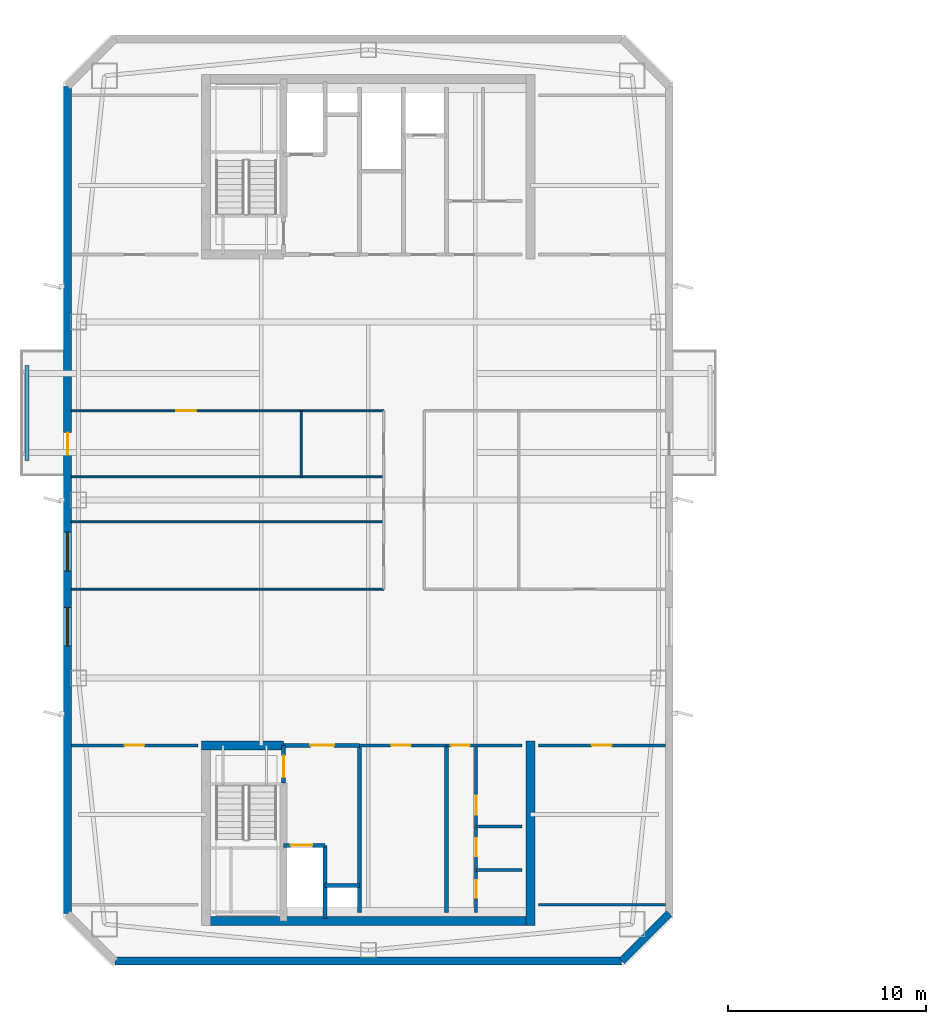
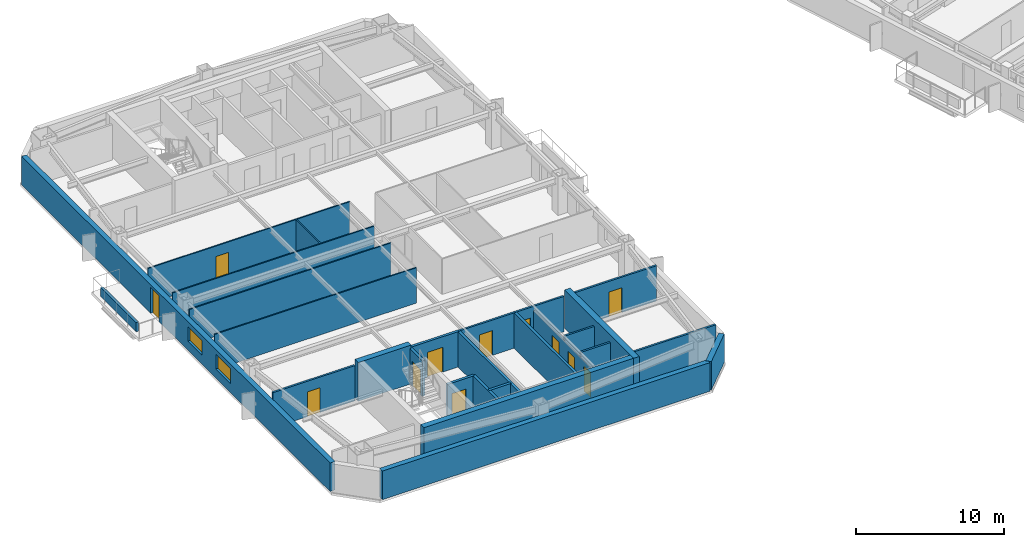
# One storey, part 5 of 17: 27 walls, 12 doors, 2 windows, 14 openings.
"""IFC4 building model written with IfcOpenShell, lengths in metres."""

from ifc_helpers import new_model, si_unit, direction, frame, frame_2d, origin, place, context, subcontext, project, spatial, rectangle, extrude, material, layer, layer_set, type_object, element, fill, save


model = new_model("IFC4")

# Units and contexts
model_context = context("Model", 3, precision=1e-05, world=origin(), true_north=direction((0.0, 1.0)))
body_context = subcontext(model_context, "Body", "Model", "MODEL_VIEW")
ifc_project = project(units=[si_unit("LENGTHUNIT", "METRE"), si_unit("AREAUNIT", "SQUARE_METRE"), si_unit("VOLUMEUNIT", "CUBIC_METRE"), si_unit("PLANEANGLEUNIT", "RADIAN"), si_unit("MASSUNIT", "GRAM", prefix="KILO")], contexts=[model_context])

# Site, building, storey
site_placement = place(None, origin())
site = spatial("IfcSite", under=ifc_project, at=site_placement, CompositionType="ELEMENT")
building_placement = place(site_placement, origin())
building = spatial("IfcBuilding", under=site, at=building_placement, Name="Qiaolan Cultural Towers", CompositionType="ELEMENT")
storey_placement = place(building_placement, frame((0.0, 0.0, 247.199951171875)))
storey = spatial("IfcBuildingStorey", under=building, at=storey_placement, Name="L67", CompositionType="ELEMENT", Elevation=247.199951171875)

# Walls
ifc_material_1 = material(Name="Concrete C50", Category="concrete")
ifc_layer_1 = layer(ifc_material_1, 0.449951171875)
ifc_layer_set_1 = layer_set([ifc_layer_1], Name="Concrete C50")
wall_type_1 = type_object("IfcWallType", Name="WL-CORE-450", PredefinedType="SHEAR", material=ifc_layer_set_1)
wall_1_placement = place(storey_placement, frame((21.574951171875, 12.719970703125, 0.0), z_axis=(0.0, 0.0, 1.0), x_axis=(1.0, 0.0, 0.0)))
element("IfcWall", 1, at=wall_1_placement, inside=storey, type_object=wall_type_1, Name="L67 T1-CS Outer Core Shear Wall", PredefinedType="SHEAR", context=body_context, shape_type="SweptSolid", body=[
    extrude(rectangle(XDim=16.85009765625, YDim=0.449951171875, at=frame_2d((8.425048828125, 0.0))), origin(), (0.0, 0.0, 1.0), 3.199951171875),
])
wall_2_placement = place(storey_placement, frame((38.199951171875, 21.824951171875, 0.0), z_axis=(0.0, 0.0, 1.0), x_axis=(0.0, -1.0, 0.0)))
element("IfcWall", 2, at=wall_2_placement, inside=storey, type_object=wall_type_1, Name="L67 T1-CS East Core Shear Wall", PredefinedType="SHEAR", context=body_context, shape_type="SweptSolid", body=[
    extrude(rectangle(XDim=9.329833984375, YDim=0.449951171875, at=frame_2d((4.6650390625, 0.0))), origin(), (0.0, 0.0, 1.0), 3.199951171875),
])
wall_3_placement = place(storey_placement, frame((21.574951171875, 21.60009765625, 0.0), z_axis=(0.0, 0.0, 1.0), x_axis=(1.0, 0.0, 0.0)))
element("IfcWall", 3, at=wall_3_placement, inside=storey, type_object=wall_type_1, Name="L67 T1-CS Stair Front Shear Wall", PredefinedType="SHEAR", context=body_context, shape_type="SweptSolid", body=[
    extrude(rectangle(XDim=4.14501953125, YDim=0.449951171875, at=frame_2d((2.072509765625, 0.0))), origin(), (0.0, 0.0, 1.0), 3.199951171875),
])

# Wall, openings, door, windows
ifc_material_2 = material(Name="Precast Concrete C50 Honed Stone Pier", Category="masonry")
ifc_layer_2 = layer(ifc_material_2, 0.39990234375)
ifc_layer_set_2 = layer_set([ifc_layer_2], Name="Precast Concrete C50 Honed Stone Pier")
wall_type_2 = type_object("IfcWallType", Name="WL-EXT-PIER-400", PredefinedType="SOLIDWALL", material=ifc_layer_set_2)
wall_4_placement = place(storey_placement, frame((14.800048828125, 13.10009765625, 0.0), z_axis=(0.0, 0.0, 1.0), x_axis=(0.0, 1.0, 0.0)))
wall_4 = element("IfcWall", 4, at=wall_4_placement, inside=storey, type_object=wall_type_2, Name="L67 West Tower Precast Pier Facade Wall F1", PredefinedType="SOLIDWALL", context=body_context, shape_type="SweptSolid", body=[
    extrude(rectangle(XDim=41.7998046875, YDim=0.39990234375, at=frame_2d((20.89990234375, 0.0))), origin(), (0.0, 0.0, 1.0), 2.360107421875),
])
opening_1_placement = place(wall_4_placement, frame((13.52490234375, 0.0, 0.75)))
opening_1 = element("IfcOpeningElement", 5, at=opening_1_placement, cuts=wall_4, Name="Opening W-06", PredefinedType="OPENING", context=body_context, shape_type="SweptSolid", body=[
    extrude(rectangle(XDim=1.949951171875, YDim=1.2099609375, at=frame_2d((0.97509765625, 0.60498046875))), frame((0.0, 0.2099609375, 0.0), z_axis=(0.0, -1.0, 0.0), x_axis=(1.0, 0.0, 0.0)), (0.0, 0.0, 1.0), 0.419921875),
])
opening_2_placement = place(wall_4_placement, frame((17.324951171875, 0.0, 0.75)))
opening_2 = element("IfcOpeningElement", 6, at=opening_2_placement, cuts=wall_4, Name="Opening W-06", PredefinedType="OPENING", context=body_context, shape_type="SweptSolid", body=[
    extrude(rectangle(XDim=1.949951171875, YDim=1.2099609375, at=frame_2d((0.97509765625, 0.60498046875))), frame((0.0, 0.2099609375, 0.0), z_axis=(0.0, -1.0, 0.0), x_axis=(1.0, 0.0, 0.0)), (0.0, 0.0, 1.0), 0.419921875),
])
opening_3_placement = place(wall_4_placement, frame((23.199951171875, 0.0, 0.0)))
opening_3 = element("IfcOpeningElement", 7, at=opening_3_placement, cuts=wall_4, Name="Opening BD-01", PredefinedType="OPENING", context=body_context, shape_type="SweptSolid", body=[
    extrude(rectangle(XDim=1.10009765625, YDim=2.14990234375, at=frame_2d((0.550048828125, 1.074951171875))), frame((0.0, 0.2099609375, 0.0), z_axis=(0.0, -1.0, 0.0), x_axis=(1.0, 0.0, 0.0)), (0.0, 0.0, 1.0), 0.419921875),
])
ifc_material_3 = material(Name="Thermally Broken Aluminium Glazed Terrace Door", Category="aluminium")
door_type_1 = type_object("IfcDoorType", Name="DR-BAL-1100", OperationType="NOTDEFINED", PredefinedType="DOOR", material=ifc_material_3)
door_1_placement = place(opening_3_placement, origin())
door_1 = element("IfcDoor", 8, at=door_1_placement, inside=storey, type_object=door_type_1, Name="L67 T1 West Tree Balcony Door", OperationType="SINGLE_SWING_LEFT", OverallHeight=2.14990234375, OverallWidth=1.10009765625, PredefinedType="DOOR", context=body_context, shape_type="SweptSolid", body=[
    extrude(rectangle(XDim=1.10009765625, YDim=2.14990234375, at=frame_2d((0.550048828125, 1.074951171875))), frame((0.0, 0.02490234375, 0.0), z_axis=(0.0, -1.0, 0.0), x_axis=(1.0, 0.0, 0.0)), (0.0, 0.0, 1.0), 0.050048828125),
])
fill(opening_3, door_1)
ifc_material_4 = material(Name="Thermally Broken Aluminium Triple Low-E Glazing", Category="aluminium")
window_type = type_object("IfcWindowType", Name="WN-CHIC-1950", PartitioningType="SINGLE_PANEL", PredefinedType="WINDOW", material=ifc_material_4)
window_1_placement = place(opening_1_placement, origin())
window_1 = element("IfcWindow", 9, at=window_1_placement, inside=storey, type_object=window_type, Name="L67 T1 W Chicago Bay Window 1", OverallHeight=1.2099609375, OverallWidth=1.949951171875, PartitioningType="TRIPLE_PANEL_VERTICAL", PredefinedType="WINDOW", context=body_context, shape_type="SweptSolid", body=[
    extrude(rectangle(XDim=1.949951171875, YDim=1.2099609375, at=frame_2d((0.97509765625, 0.60498046875))), frame((0.0, 0.030029296875, 0.0), z_axis=(0.0, -1.0, 0.0), x_axis=(1.0, 0.0, 0.0)), (0.0, 0.0, 1.0), 0.06005859375),
])
fill(opening_1, window_1)
window_2_placement = place(opening_2_placement, origin())
window_2 = element("IfcWindow", 10, at=window_2_placement, inside=storey, type_object=window_type, Name="L67 T1 W Chicago Bay Window 2", OverallHeight=1.2099609375, OverallWidth=1.949951171875, PartitioningType="TRIPLE_PANEL_VERTICAL", PredefinedType="WINDOW", context=body_context, shape_type="SweptSolid", body=[
    extrude(rectangle(XDim=1.949951171875, YDim=1.2099609375, at=frame_2d((0.97509765625, 0.60498046875))), frame((0.0, 0.030029296875, 0.0), z_axis=(0.0, -1.0, 0.0), x_axis=(1.0, 0.0, 0.0)), (0.0, 0.0, 1.0), 0.06005859375),
])
fill(opening_2, window_2)

# Walls
wall_5_placement = place(storey_placement, frame((45.199951171875, 13.10009765625, 0.0), z_axis=(0.0, 0.0, 1.0), x_axis=(-0.707070815327, -0.707142745217, 0.0)))
element("IfcWall", 11, at=wall_5_placement, inside=storey, type_object=wall_type_2, Name="L67 West Tower Precast Pier Facade Wall F6", PredefinedType="SOLIDWALL", context=body_context, shape_type="SweptSolid", body=[
    extrude(rectangle(XDim=3.39404296875, YDim=0.39990234375, at=frame_2d((1.697021484375, 0.0))), origin(), (0.0, 0.0, 1.0), 2.360107421875),
])
wall_6_placement = place(storey_placement, frame((42.800048828125, 10.699951171875, 0.0), z_axis=(0.0, 0.0, 1.0), x_axis=(-1.0, 0.0, 0.0)))
element("IfcWall", 12, at=wall_6_placement, inside=storey, type_object=wall_type_2, Name="L67 West Tower Precast Pier Facade Wall F7", PredefinedType="SOLIDWALL", context=body_context, shape_type="SweptSolid", body=[
    extrude(rectangle(XDim=25.60009765625, YDim=0.39990234375, at=frame_2d((12.800048828125, 0.0))), origin(), (0.0, 0.0, 1.0), 2.360107421875),
])

# Wall, opening, door
ifc_material_5 = material(Name="Concrete C35 Fire Wall", Category="concrete")
ifc_layer_3 = layer(ifc_material_5, 0.199951171875)
ifc_layer_set_3 = layer_set([ifc_layer_3], Name="Concrete C35 Fire Wall")
wall_type_3 = type_object("IfcWallType", Name="WL-FIRE-200", PredefinedType="PARTITIONING", material=ifc_layer_set_3)
wall_7_placement = place(storey_placement, frame((25.719970703125, 21.60009765625, 0.0), z_axis=(0.0, 0.0, 1.0), x_axis=(0.0, -1.0, 0.0)))
wall_7 = element("IfcWall", 13, at=wall_7_placement, inside=storey, type_object=wall_type_3, Name="L67 T1-CS Smokeproof Stair Entry Wall", PredefinedType="PARTITIONING", context=body_context, shape_type="SweptSolid", body=[
    extrude(rectangle(XDim=1.900146484375, YDim=0.199951171875, at=frame_2d((0.9501953125, 0.0))), origin(), (0.0, 0.0, 1.0), 2.925048828125),
])
opening_4_placement = place(wall_7_placement, frame((0.52001953125, 0.0, 0.0)))
opening_4 = element("IfcOpeningElement", 14, at=opening_4_placement, cuts=wall_7, Name="Opening FD-04", PredefinedType="OPENING", context=body_context, shape_type="SweptSolid", body=[
    extrude(rectangle(XDim=1.10009765625, YDim=2.050048828125, at=frame_2d((0.550048828125, 1.02490234375))), frame((0.0, 0.10986328125, 0.0), z_axis=(0.0, -1.0, 0.0), x_axis=(1.0, 0.0, 0.0)), (0.0, 0.0, 1.0), 0.219970703125),
])
ifc_material_6 = material(Name="Galvanized Steel Command Fire Door", Category="steel")
door_type_2 = type_object("IfcDoorType", Name="DR-FD90-1100", OperationType="NOTDEFINED", PredefinedType="DOOR", material=ifc_material_6)
door_2_placement = place(opening_4_placement, origin())
door_2 = element("IfcDoor", 15, at=door_2_placement, inside=storey, type_object=door_type_2, Name="L67 ST-W1 Smokeproof Stair Fire Door", OperationType="SINGLE_SWING_LEFT", OverallHeight=2.050048828125, OverallWidth=1.10009765625, PredefinedType="DOOR", context=body_context, shape_type="SweptSolid", body=[
    extrude(rectangle(XDim=1.10009765625, YDim=2.050048828125, at=frame_2d((0.550048828125, 1.02490234375))), frame((0.0, 0.02490234375, 0.0), z_axis=(0.0, -1.0, 0.0), x_axis=(1.0, 0.0, 0.0)), (0.0, 0.0, 1.0), 0.050048828125),
])
fill(opening_4, door_2)

# Wall
wall_8_placement = place(storey_placement, frame((29.550048828125, 21.60009765625, 0.0), z_axis=(0.0, 0.0, 1.0), x_axis=(0.0, -1.0, 0.0)))
element("IfcWall", 16, at=wall_8_placement, inside=storey, type_object=wall_type_3, Name="L67 T1-CS Firefighting Zone Wall", PredefinedType="PARTITIONING", context=body_context, shape_type="SweptSolid", body=[
    extrude(rectangle(XDim=8.43017578125, YDim=0.199951171875, at=frame_2d((4.215087890625, 0.0))), origin(), (0.0, 0.0, 1.0), 2.925048828125),
])

# Wall, opening, door
wall_9_placement = place(storey_placement, frame((25.719970703125, 21.60009765625, 0.0), z_axis=(0.0, 0.0, 1.0), x_axis=(1.0, 0.0, 0.0)))
wall_9 = element("IfcWall", 17, at=wall_9_placement, inside=storey, type_object=wall_type_3, Name="L67 T1-CS Firefighting Lobby Front Wall", PredefinedType="PARTITIONING", context=body_context, shape_type="SweptSolid", body=[
    extrude(rectangle(XDim=3.830078125, YDim=0.199951171875, at=frame_2d((1.9150390625, 0.0))), origin(), (0.0, 0.0, 1.0), 2.925048828125),
])
opening_5_placement = place(wall_9_placement, frame((1.35009765625, 0.0, 0.0)))
opening_5 = element("IfcOpeningElement", 18, at=opening_5_placement, cuts=wall_9, Name="Opening FD-03", PredefinedType="OPENING", context=body_context, shape_type="SweptSolid", body=[
    extrude(rectangle(XDim=1.199951171875, YDim=2.050048828125, at=frame_2d((0.60009765625, 1.02490234375))), frame((0.0, 0.10986328125, 0.0), z_axis=(0.0, -1.0, 0.0), x_axis=(1.0, 0.0, 0.0)), (0.0, 0.0, 1.0), 0.219970703125),
])
ifc_material_7 = material(Name="Galvanized Steel Smokeproof Lobby Fire Door", Category="steel")
door_type_3 = type_object("IfcDoorType", Name="DR-FD90-1200", OperationType="NOTDEFINED", PredefinedType="DOOR", material=ifc_material_7)
door_3_placement = place(opening_5_placement, origin())
door_3 = element("IfcDoor", 19, at=door_3_placement, inside=storey, type_object=door_type_3, Name="L67 FFL-W1 Firefighting Lobby Fire Door", OperationType="SINGLE_SWING_LEFT", OverallHeight=2.050048828125, OverallWidth=1.199951171875, PredefinedType="DOOR", context=body_context, shape_type="SweptSolid", body=[
    extrude(rectangle(XDim=1.199951171875, YDim=2.050048828125, at=frame_2d((0.60009765625, 1.02490234375))), frame((0.0, 0.02490234375, 0.0), z_axis=(0.0, -1.0, 0.0), x_axis=(1.0, 0.0, 0.0)), (0.0, 0.0, 1.0), 0.050048828125),
])
fill(opening_5, door_3)

wall_10_placement = place(storey_placement, frame((25.719970703125, 16.550048828125, 0.0), z_axis=(0.0, 0.0, 1.0), x_axis=(1.0, 0.0, 0.0)))
wall_10 = element("IfcWall", 20, at=wall_10_placement, inside=storey, type_object=wall_type_3, Name="L67 T1-CS Firefighting Shaft Front Wall", PredefinedType="PARTITIONING", context=body_context, shape_type="SweptSolid", body=[
    extrude(rectangle(XDim=2.10009765625, YDim=0.199951171875, at=frame_2d((1.050048828125, 0.0))), origin(), (0.0, 0.0, 1.0), 2.925048828125),
])
opening_6_placement = place(wall_10_placement, frame((0.35009765625, 0.0, 0.0)))
opening_6 = element("IfcOpeningElement", 21, at=opening_6_placement, cuts=wall_10, Name="Opening LD-01", PredefinedType="OPENING", context=body_context, shape_type="SweptSolid", body=[
    extrude(rectangle(XDim=1.10009765625, YDim=2.050048828125, at=frame_2d((0.550048828125, 1.02490234375))), frame((0.0, 0.10986328125, 0.0), z_axis=(0.0, -1.0, 0.0), x_axis=(1.0, 0.0, 0.0)), (0.0, 0.0, 1.0), 0.219970703125),
])
ifc_material_8 = material(Name="Brushed Stainless Steel S30408 Centre-Parting Lift Landing Door", Category="steel")
door_type_4 = type_object("IfcDoorType", Name="DR-LIFT-1100", OperationType="NOTDEFINED", PredefinedType="DOOR", material=ifc_material_8)
door_4_placement = place(opening_6_placement, origin())
door_4 = element("IfcDoor", 22, at=door_4_placement, inside=storey, type_object=door_type_4, Name="L67 FFL-W1 Firefighting Lift Landing Door", OperationType="DOUBLE_DOOR_SLIDING", OverallHeight=2.050048828125, OverallWidth=1.10009765625, PredefinedType="DOOR", context=body_context, shape_type="SweptSolid", body=[
    extrude(rectangle(XDim=1.10009765625, YDim=2.050048828125, at=frame_2d((0.550048828125, 1.02490234375))), frame((0.0, 0.02490234375, 0.0), z_axis=(0.0, -1.0, 0.0), x_axis=(1.0, 0.0, 0.0)), (0.0, 0.0, 1.0), 0.050048828125),
])
fill(opening_6, door_4)

# Walls
wall_11_placement = place(storey_placement, frame((27.820068359375, 16.550048828125, 0.0), z_axis=(0.0, 0.0, 1.0), x_axis=(0.0, -1.0, 0.0)))
element("IfcWall", 23, at=wall_11_placement, inside=storey, type_object=wall_type_3, Name="L67 T1-CS Firefighting Hoistway East Wall", PredefinedType="PARTITIONING", context=body_context, shape_type="SweptSolid", body=[
    extrude(rectangle(XDim=3.699951171875, YDim=0.199951171875, at=frame_2d((1.85009765625, 0.0))), origin(), (0.0, 0.0, 1.0), 2.925048828125),
])
wall_12_placement = place(storey_placement, frame((27.820068359375, 14.52001953125, 0.0), z_axis=(0.0, 0.0, 1.0), x_axis=(1.0, 0.0, 0.0)))
element("IfcWall", 24, at=wall_12_placement, inside=storey, type_object=wall_type_3, Name="L67 T1-CS Pressurization Shaft Front Wall", PredefinedType="PARTITIONING", context=body_context, shape_type="SweptSolid", body=[
    extrude(rectangle(XDim=1.72998046875, YDim=0.199951171875, at=frame_2d((0.864990234375, 0.0))), origin(), (0.0, 0.0, 1.0), 2.925048828125),
])
wall_13_placement = place(storey_placement, frame((33.949951171875, 21.60009765625, 0.0), z_axis=(0.0, 0.0, 1.0), x_axis=(0.0, -1.0, 0.0)))
element("IfcWall", 25, at=wall_13_placement, inside=storey, type_object=wall_type_3, Name="L67 T1-CS Lift Core East Wall", PredefinedType="PARTITIONING", context=body_context, shape_type="SweptSolid", body=[
    extrude(rectangle(XDim=8.43017578125, YDim=0.199951171875, at=frame_2d((4.215087890625, 0.0))), origin(), (0.0, 0.0, 1.0), 2.925048828125),
])
ifc_material_9 = material(Name="Acoustic Double-Glazed Partition Frame", Category="glass")
ifc_layer_4 = layer(ifc_material_9, 0.10009765625)
ifc_layer_set_4 = layer_set([ifc_layer_4], Name="Acoustic Double-Glazed Partition Frame")
wall_type_4 = type_object("IfcWallType", Name="WL-GLAZED-100", PredefinedType="MOVABLE", material=ifc_layer_set_4)
wall_14_placement = place(storey_placement, frame((15.0, 29.5, 0.0), z_axis=(0.0, 0.0, 1.0), x_axis=(1.0, 0.0, 0.0)))
element("IfcWall", 26, at=wall_14_placement, inside=storey, type_object=wall_type_4, Name="L67 T1 South Foyer West Wall", PredefinedType="MOVABLE", context=body_context, shape_type="SweptSolid", body=[
    extrude(rectangle(XDim=15.77490234375, YDim=0.10009765625, at=frame_2d((7.887451171875, 0.0))), origin(), (0.0, 0.0, 1.0), 2.925048828125),
])

# Wall, opening, door
wall_15_placement = place(storey_placement, frame((15.0, 38.5, 0.0), z_axis=(0.0, 0.0, 1.0), x_axis=(1.0, 0.0, 0.0)))
wall_15 = element("IfcWall", 27, at=wall_15_placement, inside=storey, type_object=wall_type_4, Name="L67 T1 North Foyer West Wall", PredefinedType="MOVABLE", context=body_context, shape_type="SweptSolid", body=[
    extrude(rectangle(XDim=15.77490234375, YDim=0.10009765625, at=frame_2d((7.887451171875, 0.0))), origin(), (0.0, 0.0, 1.0), 2.925048828125),
])
opening_7_placement = place(wall_15_placement, frame((5.300048828125, 0.0, 0.0)))
opening_7 = element("IfcOpeningElement", 28, at=opening_7_placement, cuts=wall_15, Name="Opening ID-04", PredefinedType="OPENING", context=body_context, shape_type="SweptSolid", body=[
    extrude(rectangle(XDim=1.0, YDim=2.050048828125, at=frame_2d((0.5, 1.02490234375))), frame((0.0, 0.06005859375, 0.0), z_axis=(0.0, -1.0, 0.0), x_axis=(1.0, 0.0, 0.0)), (0.0, 0.0, 1.0), 0.1201171875),
])
ifc_material_10 = material(Name="Oak Veneer Acoustic Office Door", Category="timber")
door_type_5 = type_object("IfcDoorType", Name="DR-INT-1000", OperationType="NOTDEFINED", PredefinedType="DOOR", material=ifc_material_10)
door_5_placement = place(opening_7_placement, origin())
door_5 = element("IfcDoor", 29, at=door_5_placement, inside=storey, type_object=door_type_5, Name="L67 T1 Edition Bookshop Door", OperationType="SINGLE_SWING_LEFT", OverallHeight=2.050048828125, OverallWidth=1.0, PredefinedType="DOOR", context=body_context, shape_type="SweptSolid", body=[
    extrude(rectangle(XDim=1.0, YDim=2.050048828125, at=frame_2d((0.5, 1.02490234375))), frame((0.0, 0.02490234375, 0.0), z_axis=(0.0, -1.0, 0.0), x_axis=(1.0, 0.0, 0.0)), (0.0, 0.0, 1.0), 0.050048828125),
])
fill(opening_7, door_5)

# Walls
for number, where, z_axis, x_axis, name in (
    (30, (15.0, 32.89990234375, 0.0), (0.0, 0.0, 1.0), (1.0, 0.0, 0.0), "L67 T1 Interior Wall"),
    (31, (15.0, 35.169921875, 0.0), (0.0, 0.0, 1.0), (1.0, 0.0, 0.0), "L67 T1 Interior Wall"),
):
    element("IfcWall", number, at=place(storey_placement, frame(where, z_axis=z_axis, x_axis=x_axis)), inside=storey, type_object=wall_type_4, Name=name, PredefinedType="MOVABLE", context=body_context, shape_type="SweptSolid", body=[
        extrude(rectangle(XDim=15.77490234375, YDim=0.10009765625, at=frame_2d((7.887451171875, 0.0))), origin(), (0.0, 0.0, 1.0), 2.925048828125),
    ])
wall_16_placement = place(storey_placement, frame((26.60009765625, 35.169921875, 0.0), z_axis=(0.0, 0.0, 1.0), x_axis=(0.0, 1.0, 0.0)))
element("IfcWall", 32, at=wall_16_placement, inside=storey, type_object=wall_type_4, Name="L67 T1 Interior Wall", PredefinedType="MOVABLE", context=body_context, shape_type="SweptSolid", body=[
    extrude(rectangle(XDim=3.330078125, YDim=0.10009765625, at=frame_2d((1.6650390625, 0.0))), origin(), (0.0, 0.0, 1.0), 2.925048828125),
])

# Wall, opening, door
ifc_material_11 = material(Name="Autoclaved Aerated Concrete Block B06", Category="concrete")
ifc_layer_5 = layer(ifc_material_11, 0.14990234375)
ifc_layer_set_5 = layer_set([ifc_layer_5], Name="Autoclaved Aerated Concrete Block B06")
wall_type_5 = type_object("IfcWallType", Name="WL-PART-150", PredefinedType="PARTITIONING", material=ifc_layer_set_5)
wall_17_placement = place(storey_placement, frame((29.550048828125, 21.60009765625, 0.0), z_axis=(0.0, 0.0, 1.0), x_axis=(1.0, 0.0, 0.0)))
wall_17 = element("IfcWall", 33, at=wall_17_placement, inside=storey, type_object=wall_type_5, Name="L67 T1-CS Reclaimed Core Room Front Wall", PredefinedType="PARTITIONING", context=body_context, shape_type="SweptSolid", body=[
    extrude(rectangle(XDim=4.39990234375, YDim=0.14990234375, at=frame_2d((2.199951171875, 0.0))), origin(), (0.0, 0.0, 1.0), 2.925048828125),
])
opening_8_placement = place(wall_17_placement, frame((1.60009765625, 0.0, 0.0)))
opening_8 = element("IfcOpeningElement", 34, at=opening_8_placement, cuts=wall_17, Name="Opening ID-04", PredefinedType="OPENING", context=body_context, shape_type="SweptSolid", body=[
    extrude(rectangle(XDim=1.0, YDim=2.050048828125, at=frame_2d((0.5, 1.02490234375))), frame((0.0, 0.0849609375, 0.0), z_axis=(0.0, -1.0, 0.0), x_axis=(1.0, 0.0, 0.0)), (0.0, 0.0, 1.0), 0.169921875),
])
door_6_placement = place(opening_8_placement, origin())
door_6 = element("IfcDoor", 35, at=door_6_placement, inside=storey, type_object=door_type_5, Name="L67 Reclaimed Archive Room Door", OperationType="SINGLE_SWING_LEFT", OverallHeight=2.050048828125, OverallWidth=1.0, PredefinedType="DOOR", context=body_context, shape_type="SweptSolid", body=[
    extrude(rectangle(XDim=1.0, YDim=2.050048828125, at=frame_2d((0.5, 1.02490234375))), frame((0.0, 0.02490234375, 0.0), z_axis=(0.0, -1.0, 0.0), x_axis=(1.0, 0.0, 0.0)), (0.0, 0.0, 1.0), 0.050048828125),
])
fill(opening_8, door_6)

wall_18_placement = place(storey_placement, frame((33.949951171875, 21.60009765625, 0.0), z_axis=(0.0, 0.0, 1.0), x_axis=(1.0, 0.0, 0.0)))
wall_18 = element("IfcWall", 36, at=wall_18_placement, inside=storey, type_object=wall_type_5, Name="L67 T1-CS Sanitary Core Front Wall", PredefinedType="PARTITIONING", context=body_context, shape_type="SweptSolid", body=[
    extrude(rectangle(XDim=3.800048828125, YDim=0.14990234375, at=frame_2d((1.89990234375, 0.0))), origin(), (0.0, 0.0, 1.0), 2.925048828125),
])
opening_9_placement = place(wall_18_placement, frame((0.219970703125, 0.0, 0.0)))
opening_9 = element("IfcOpeningElement", 37, at=opening_9_placement, cuts=wall_18, Name="Opening ID-05", PredefinedType="OPENING", context=body_context, shape_type="SweptSolid", body=[
    extrude(rectangle(XDim=0.949951171875, YDim=2.050048828125, at=frame_2d((0.47509765625, 1.02490234375))), frame((0.0, 0.0849609375, 0.0), z_axis=(0.0, -1.0, 0.0), x_axis=(1.0, 0.0, 0.0)), (0.0, 0.0, 1.0), 0.169921875),
])
ifc_material_12 = material(Name="Fire-Rated Laminate Accessible Core Door", Category="timber")
door_type_6 = type_object("IfcDoorType", Name="DR-INT-950", OperationType="NOTDEFINED", PredefinedType="DOOR", material=ifc_material_12)
door_7_placement = place(opening_9_placement, origin())
door_7 = element("IfcDoor", 38, at=door_7_placement, inside=storey, type_object=door_type_6, Name="L67 Sanitary Vestibule Door", OperationType="SINGLE_SWING_LEFT", OverallHeight=2.050048828125, OverallWidth=0.949951171875, PredefinedType="DOOR", context=body_context, shape_type="SweptSolid", body=[
    extrude(rectangle(XDim=0.949951171875, YDim=2.050048828125, at=frame_2d((0.47509765625, 1.02490234375))), frame((0.0, 0.02490234375, 0.0), z_axis=(0.0, -1.0, 0.0), x_axis=(1.0, 0.0, 0.0)), (0.0, 0.0, 1.0), 0.050048828125),
])
fill(opening_9, door_7)

# Wall, openings, doors
wall_19_placement = place(storey_placement, frame((35.449951171875, 21.60009765625, 0.0), z_axis=(0.0, 0.0, 1.0), x_axis=(0.0, -1.0, 0.0)))
wall_19 = element("IfcWall", 39, at=wall_19_placement, inside=storey, type_object=wall_type_5, Name="L67 T1-CS Sanitary Vestibule Wall", PredefinedType="PARTITIONING", context=body_context, shape_type="SweptSolid", body=[
    extrude(rectangle(XDim=8.43017578125, YDim=0.14990234375, at=frame_2d((4.215087890625, 0.0))), origin(), (0.0, 0.0, 1.0), 2.56494140625),
])
opening_10_placement = place(wall_19_placement, frame((2.550048828125, 0.0, 0.0)))
opening_10 = element("IfcOpeningElement", 40, at=opening_10_placement, cuts=wall_19, Name="Opening ID-05", PredefinedType="OPENING", context=body_context, shape_type="SweptSolid", body=[
    extrude(rectangle(XDim=0.949951171875, YDim=2.050048828125, at=frame_2d((0.47509765625, 1.02490234375))), frame((0.0, 0.0849609375, 0.0), z_axis=(0.0, -1.0, 0.0), x_axis=(1.0, 0.0, 0.0)), (0.0, 0.0, 1.0), 0.169921875),
])
opening_11_placement = place(wall_19_placement, frame((4.699951171875, 0.0, 0.0)))
opening_11 = element("IfcOpeningElement", 41, at=opening_11_placement, cuts=wall_19, Name="Opening ID-06", PredefinedType="OPENING", context=body_context, shape_type="SweptSolid", body=[
    extrude(rectangle(XDim=0.89990234375, YDim=2.050048828125, at=frame_2d((0.449951171875, 1.02490234375))), frame((0.0, 0.0849609375, 0.0), z_axis=(0.0, -1.0, 0.0), x_axis=(1.0, 0.0, 0.0)), (0.0, 0.0, 1.0), 0.169921875),
])
opening_12_placement = place(wall_19_placement, frame((6.800048828125, 0.0, 0.0)))
opening_12 = element("IfcOpeningElement", 42, at=opening_12_placement, cuts=wall_19, Name="Opening ID-06", PredefinedType="OPENING", context=body_context, shape_type="SweptSolid", body=[
    extrude(rectangle(XDim=0.89990234375, YDim=2.050048828125, at=frame_2d((0.449951171875, 1.02490234375))), frame((0.0, 0.0849609375, 0.0), z_axis=(0.0, -1.0, 0.0), x_axis=(1.0, 0.0, 0.0)), (0.0, 0.0, 1.0), 0.169921875),
])
ifc_material_13 = material(Name="Fire-Rated Laminate Core Service Door", Category="timber")
door_type_7 = type_object("IfcDoorType", Name="DR-INT-900", OperationType="NOTDEFINED", PredefinedType="DOOR", material=ifc_material_13)
door_8_placement = place(opening_11_placement, origin())
door_8 = element("IfcDoor", 43, at=door_8_placement, inside=storey, type_object=door_type_7, Name="L67 Men Washroom Door", OperationType="SINGLE_SWING_LEFT", OverallHeight=2.050048828125, OverallWidth=0.89990234375, PredefinedType="DOOR", context=body_context, shape_type="SweptSolid", body=[
    extrude(rectangle(XDim=0.89990234375, YDim=2.050048828125, at=frame_2d((0.449951171875, 1.02490234375))), frame((0.0, 0.02490234375, 0.0), z_axis=(0.0, -1.0, 0.0), x_axis=(1.0, 0.0, 0.0)), (0.0, 0.0, 1.0), 0.050048828125),
])
fill(opening_11, door_8)
door_9_placement = place(opening_12_placement, origin())
door_9 = element("IfcDoor", 44, at=door_9_placement, inside=storey, type_object=door_type_7, Name="L67 Women Washroom Door", OperationType="SINGLE_SWING_RIGHT", OverallHeight=2.050048828125, OverallWidth=0.89990234375, PredefinedType="DOOR", context=body_context, shape_type="SweptSolid", body=[
    extrude(rectangle(XDim=0.89990234375, YDim=2.050048828125, at=frame_2d((0.449951171875, 1.02490234375))), frame((0.0, 0.02490234375, 0.0), z_axis=(0.0, -1.0, 0.0), x_axis=(1.0, 0.0, 0.0)), (0.0, 0.0, 1.0), 0.050048828125),
])
fill(opening_12, door_9)
door_10_placement = place(opening_10_placement, origin())
door_10 = element("IfcDoor", 45, at=door_10_placement, inside=storey, type_object=door_type_6, Name="L67 Accessible Family Washroom Door", OperationType="SINGLE_SWING_LEFT", OverallHeight=2.050048828125, OverallWidth=0.949951171875, PredefinedType="DOOR", context=body_context, shape_type="SweptSolid", body=[
    extrude(rectangle(XDim=0.949951171875, YDim=2.050048828125, at=frame_2d((0.47509765625, 1.02490234375))), frame((0.0, 0.02490234375, 0.0), z_axis=(0.0, -1.0, 0.0), x_axis=(1.0, 0.0, 0.0)), (0.0, 0.0, 1.0), 0.050048828125),
])
fill(opening_10, door_10)

# Walls
for number, where, z_axis, x_axis, name in (
    (46, (35.449951171875, 17.5, 0.0), (0.0, 0.0, 1.0), (1.0, 0.0, 0.0), "L67 T1-CS Restroom Split Wall 1"),
    (47, (35.449951171875, 15.300048828125, 0.0), (0.0, 0.0, 1.0), (1.0, 0.0, 0.0), "L67 T1-CS Restroom Split Wall 2"),
):
    element("IfcWall", number, at=place(storey_placement, frame(where, z_axis=z_axis, x_axis=x_axis)), inside=storey, type_object=wall_type_5, Name=name, PredefinedType="PARTITIONING", context=body_context, shape_type="SweptSolid", body=[
        extrude(rectangle(XDim=2.300048828125, YDim=0.14990234375, at=frame_2d((1.14990234375, 0.0))), origin(), (0.0, 0.0, 1.0), 2.925048828125),
    ])

# Wall, opening, door
wall_20_placement = place(storey_placement, frame((15.0, 21.60009765625, 0.0), z_axis=(0.0, 0.0, 1.0), x_axis=(1.0, 0.0, 0.0)))
wall_20 = element("IfcWall", 48, at=wall_20_placement, inside=storey, type_object=wall_type_5, Name="L67 T1 Flank Front FLK-SW", PredefinedType="PARTITIONING", context=body_context, shape_type="SweptSolid", body=[
    extrude(rectangle(XDim=6.39990234375, YDim=0.14990234375, at=frame_2d((3.199951171875, 0.0))), origin(), (0.0, 0.0, 1.0), 2.925048828125),
])
opening_13_placement = place(wall_20_placement, frame((2.68798828125, 0.0, 0.0)))
opening_13 = element("IfcOpeningElement", 49, at=opening_13_placement, cuts=wall_20, Name="Opening ID-04", PredefinedType="OPENING", context=body_context, shape_type="SweptSolid", body=[
    extrude(rectangle(XDim=1.0, YDim=2.050048828125, at=frame_2d((0.5, 1.02490234375))), frame((0.0, 0.0849609375, 0.0), z_axis=(0.0, -1.0, 0.0), x_axis=(1.0, 0.0, 0.0)), (0.0, 0.0, 1.0), 0.169921875),
])
door_11_placement = place(opening_13_placement, origin())
door_11 = element("IfcDoor", 50, at=door_11_placement, inside=storey, type_object=door_type_5, Name="L67 T1 Corner Studio Door", OperationType="SINGLE_SWING_LEFT", OverallHeight=2.050048828125, OverallWidth=1.0, PredefinedType="DOOR", context=body_context, shape_type="SweptSolid", body=[
    extrude(rectangle(XDim=1.0, YDim=2.050048828125, at=frame_2d((0.5, 1.02490234375))), frame((0.0, 0.02490234375, 0.0), z_axis=(0.0, -1.0, 0.0), x_axis=(1.0, 0.0, 0.0)), (0.0, 0.0, 1.0), 0.050048828125),
])
fill(opening_13, door_11)

# Wall
wall_21_placement = place(storey_placement, frame((38.60009765625, 13.550048828125, 0.0), z_axis=(0.0, 0.0, 1.0), x_axis=(1.0, 0.0, 0.0)))
element("IfcWall", 51, at=wall_21_placement, inside=storey, type_object=wall_type_5, Name="L67 T1 Flank Wall FLK-SE", PredefinedType="PARTITIONING", context=body_context, shape_type="SweptSolid", body=[
    extrude(rectangle(XDim=6.39990234375, YDim=0.14990234375, at=frame_2d((3.199951171875, 0.0))), origin(), (0.0, 0.0, 1.0), 2.925048828125),
])

# Wall, opening, door
wall_22_placement = place(storey_placement, frame((38.60009765625, 21.60009765625, 0.0), z_axis=(0.0, 0.0, 1.0), x_axis=(1.0, 0.0, 0.0)))
wall_22 = element("IfcWall", 52, at=wall_22_placement, inside=storey, type_object=wall_type_5, Name="L67 T1 Flank Front FLK-SE", PredefinedType="PARTITIONING", context=body_context, shape_type="SweptSolid", body=[
    extrude(rectangle(XDim=6.39990234375, YDim=0.14990234375, at=frame_2d((3.199951171875, 0.0))), origin(), (0.0, 0.0, 1.0), 2.925048828125),
])
opening_14_placement = place(wall_22_placement, frame((2.68798828125, 0.0, 0.0)))
opening_14 = element("IfcOpeningElement", 53, at=opening_14_placement, cuts=wall_22, Name="Opening ID-04", PredefinedType="OPENING", context=body_context, shape_type="SweptSolid", body=[
    extrude(rectangle(XDim=1.0, YDim=2.050048828125, at=frame_2d((0.5, 1.02490234375))), frame((0.0, 0.0849609375, 0.0), z_axis=(0.0, -1.0, 0.0), x_axis=(1.0, 0.0, 0.0)), (0.0, 0.0, 1.0), 0.169921875),
])
door_12_placement = place(opening_14_placement, origin())
door_12 = element("IfcDoor", 54, at=door_12_placement, inside=storey, type_object=door_type_5, Name="L67 T1 Corner Studio Door", OperationType="SINGLE_SWING_LEFT", OverallHeight=2.050048828125, OverallWidth=1.0, PredefinedType="DOOR", context=body_context, shape_type="SweptSolid", body=[
    extrude(rectangle(XDim=1.0, YDim=2.050048828125, at=frame_2d((0.5, 1.02490234375))), frame((0.0, 0.02490234375, 0.0), z_axis=(0.0, -1.0, 0.0), x_axis=(1.0, 0.0, 0.0)), (0.0, 0.0, 1.0), 0.050048828125),
])
fill(opening_14, door_12)

# Wall
ifc_material_14 = material(Name="Precast Concrete C45 Tree Planter Upstand", Category="concrete")
ifc_layer_6 = layer(ifc_material_14, 0.199951171875)
ifc_layer_set_6 = layer_set([ifc_layer_6], Name="Precast Concrete C45 Tree Planter Upstand")
wall_type_6 = type_object("IfcWallType", Name="WL-PLANTER-200", PredefinedType="PARAPET", material=ifc_layer_set_6)
wall_23_placement = place(storey_placement, frame((12.75, 36.0, 0.0), z_axis=(0.0, 0.0, 1.0), x_axis=(0.0, 1.0, 0.0)))
element("IfcWall", 55, at=wall_23_placement, inside=storey, type_object=wall_type_6, Name="L67 T1 Tree Balcony Soil Planter Box W", PredefinedType="PARAPET", context=body_context, shape_type="SweptSolid", body=[
    extrude(rectangle(XDim=4.800048828125, YDim=0.199951171875, at=frame_2d((2.39990234375, 0.0))), origin(), (0.0, 0.0, 1.0), 0.75),
])

save(model, "model.ifc")
